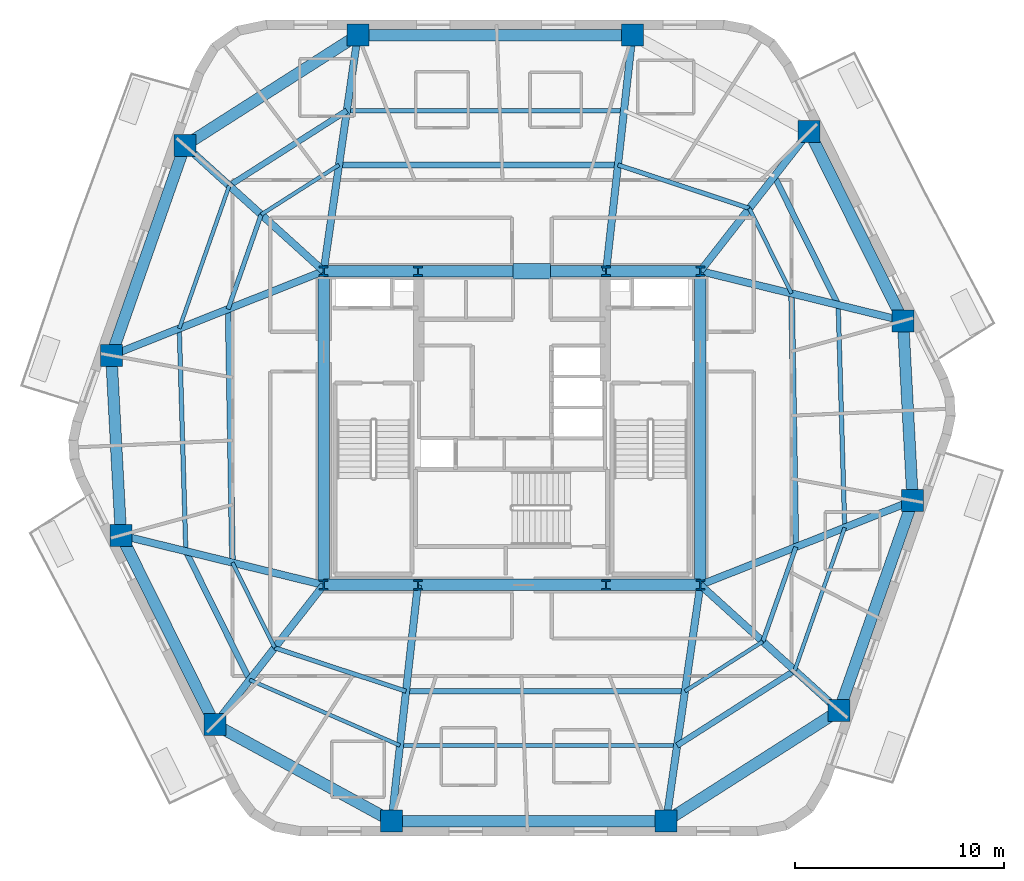
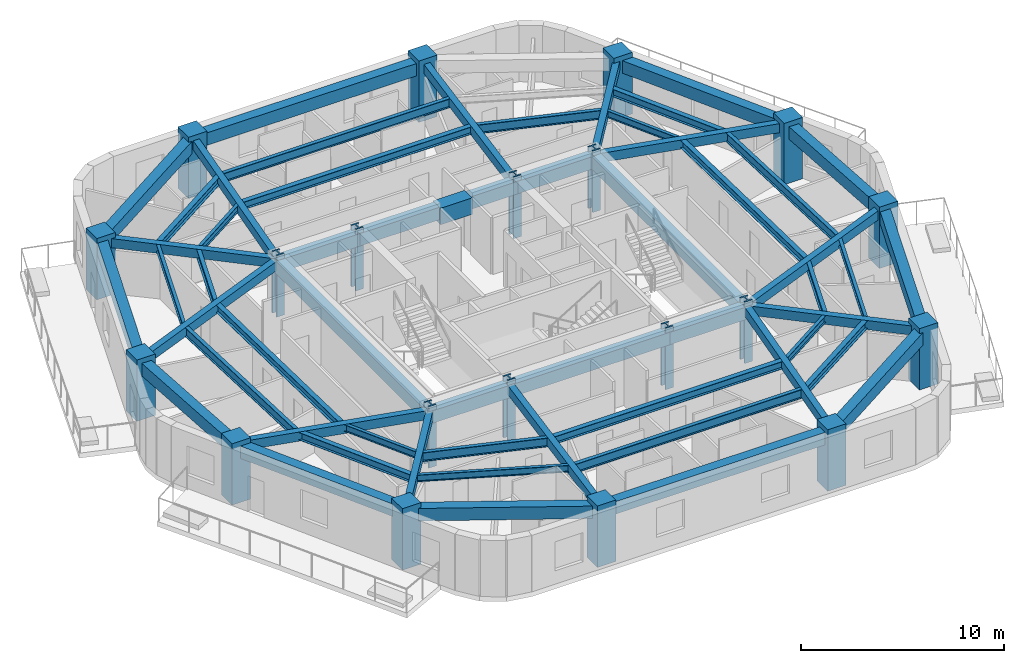
# One storey, part 1 of 10: 55 beams, 20 columns.
"""IFC4 building model written with IfcOpenShell, lengths in metres."""

from ifc_helpers import new_model, si_unit, direction, frame, origin, origin_2d, place, context, subcontext, project, spatial, rectangle, i_section, extrude, material, material_profile, profile_set, type_object, element, save


model = new_model("IFC4")

# Units and contexts
model_context = context("Model", 3, precision=1e-05, world=origin(), true_north=direction((0.0, 1.0)))
body_context = subcontext(model_context, "Body", "Model", "MODEL_VIEW")
ifc_project = project(units=[si_unit("LENGTHUNIT", "METRE"), si_unit("AREAUNIT", "SQUARE_METRE"), si_unit("VOLUMEUNIT", "CUBIC_METRE"), si_unit("PLANEANGLEUNIT", "RADIAN"), si_unit("MASSUNIT", "GRAM", prefix="KILO")], contexts=[model_context])

# Site, building, storey
site_placement = place(None, origin())
site = spatial("IfcSite", under=ifc_project, at=site_placement, CompositionType="ELEMENT")
building_placement = place(site_placement, origin())
building = spatial("IfcBuilding", under=site, at=building_placement, Name="Kilnhurst Terrace Hotel", CompositionType="ELEMENT")
storey_placement = place(building_placement, frame((0.0, 0.0, 175.60009765625)))
storey = spatial("IfcBuildingStorey", under=building, at=storey_placement, Name="L43", CompositionType="ELEMENT", Elevation=175.60009765625)

# Columns
ifc_material_1 = material(Name="Concrete C80/95", Category="concrete")
ifc_material_profile_1 = material_profile(ifc_material_1, rectangle(XDim=1.050048828125, YDim=1.050048828125, at=origin_2d()), Name="RC1050X1050")
ifc_profile_set_1 = profile_set([ifc_material_profile_1], Name="Concrete C80/95")
column_type_1 = type_object("IfcColumnType", Name="COL-RC-1050", PredefinedType="COLUMN", material=ifc_profile_set_1)
for number, where, z_axis, x_axis, name in (
    (1, (-5.7548828125, -18.780029296875, 0.0), (0.0, 0.0, 1.0), (1.0, 0.0, 0.0), "L43 Structural Column PC-F11"),
    (2, (7.368896484375, -18.780029296875, 0.0), (0.0, 0.0, 1.0), (1.0, 0.0, 0.0), "L43 Structural Column PC-F12"),
    (3, (15.633056640625, -13.5048828125, 0.0), (0.0, 0.0, 1.0), (1.0, 0.0, 0.0), "L43 Structural Column PC-F21"),
    (4, (19.14794921875, -3.467041015625, 0.0), (0.0, 0.0, 1.0), (1.0, 0.0, 0.0), "L43 Structural Column PC-F22"),
    (5, (18.68701171875, 5.1240234375, 0.0), (0.0, 0.0, 1.0), (1.0, 0.0, 0.0), "L43 Structural Column PC-F31"),
    (6, (14.2041015625, 14.166015625, 0.0), (0.0, 0.0, 1.0), (1.0, 0.0, 0.0), "L43 Structural Column PC-F32"),
    (7, (5.7548828125, 18.780029296875, 0.0), (0.0, 0.0, 1.0), (1.0, 0.0, 0.0), "L43 Structural Column PC-F41"),
    (8, (-7.368896484375, 18.780029296875, 0.0), (0.0, 0.0, 1.0), (1.0, 0.0, 0.0), "L43 Structural Column PC-F42"),
    (9, (-15.633056640625, 13.5048828125, 0.0), (0.0, 0.0, 1.0), (1.0, 0.0, 0.0), "L43 Structural Column PC-F51"),
    (10, (-19.14794921875, 3.467041015625, 0.0), (0.0, 0.0, 1.0), (1.0, 0.0, 0.0), "L43 Structural Column PC-F52"),
    (11, (-18.68701171875, -5.1240234375, 0.0), (0.0, 0.0, 1.0), (1.0, 0.0, 0.0), "L43 Structural Column PC-F61"),
    (12, (-14.2041015625, -14.166015625, 0.0), (0.0, 0.0, 1.0), (1.0, 0.0, 0.0), "L43 Structural Column PC-F62"),
):
    element("IfcColumn", number, at=place(storey_placement, frame(where, z_axis=z_axis, x_axis=x_axis)), inside=storey, type_object=column_type_1, Name=name, PredefinedType="COLUMN", context=body_context, shape_type="SweptSolid", body=[
        extrude(rectangle(XDim=1.050048828125, YDim=1.050048828125, at=origin_2d()), origin(), (0.0, 0.0, 1.0), 3.699951171875),
    ])
ifc_material_2 = material(Name="Steel ASTM A992 Grade 50", Category="steel")
ifc_material_profile_2 = material_profile(ifc_material_2, i_section(OverallWidth=0.43212890625, OverallDepth=0.497802734375, WebThickness=0.0556640625, FlangeThickness=0.0888671875, at=origin_2d()), Name="W14X500")
ifc_profile_set_2 = profile_set([ifc_material_profile_2], Name="Steel ASTM A992 Grade 50")
column_type_2 = type_object("IfcColumnType", Name="COL-STL-W14X500", PredefinedType="COLUMN", material=ifc_profile_set_2)
for number, where, z_axis, x_axis, name in (
    (13, (-9.0, -7.5, 0.0), (0.0, 0.0, 1.0), (1.0, 0.0, 0.0), "L43 Structural Column CC-SW"),
    (14, (-4.5, -7.5, 0.0), (0.0, 0.0, 1.0), (1.0, 0.0, 0.0), "L43 Structural Column CC-SC1"),
    (15, (4.5, -7.5, 0.0), (0.0, 0.0, 1.0), (1.0, 0.0, 0.0), "L43 Structural Column CC-SC2"),
    (16, (9.0, -7.5, 0.0), (0.0, 0.0, 1.0), (1.0, 0.0, 0.0), "L43 Structural Column CC-SE"),
    (17, (9.0, 7.5, 0.0), (0.0, 0.0, 1.0), (1.0, 0.0, 0.0), "L43 Structural Column CC-NE"),
    (18, (4.5, 7.5, 0.0), (0.0, 0.0, 1.0), (1.0, 0.0, 0.0), "L43 Structural Column CC-NC2"),
    (19, (-4.5, 7.5, 0.0), (0.0, 0.0, 1.0), (1.0, 0.0, 0.0), "L43 Structural Column CC-NC1"),
    (20, (-9.0, 7.5, 0.0), (0.0, 0.0, 1.0), (1.0, 0.0, 0.0), "L43 Structural Column CC-NW"),
):
    element("IfcColumn", number, at=place(storey_placement, frame(where, z_axis=z_axis, x_axis=x_axis)), inside=storey, type_object=column_type_2, Name=name, PredefinedType="COLUMN", context=body_context, shape_type="SweptSolid", body=[
        extrude(i_section(OverallWidth=0.43212890625, OverallDepth=0.497802734375, WebThickness=0.0556640625, FlangeThickness=0.0888671875, at=origin_2d()), origin(), (0.0, 0.0, 1.0), 3.699951171875),
    ])

# Beams
ifc_material_3 = material(Name="Concrete C50/60", Category="concrete")
ifc_material_profile_3 = material_profile(ifc_material_3, rectangle(XDim=0.35009765625, YDim=0.550048828125, at=origin_2d()), Name="RC350X550")
ifc_profile_set_3 = profile_set([ifc_material_profile_3], Name="Concrete C50/60")
beam_type_1 = type_object("IfcBeamType", Name="BM-RAD-350X550", PredefinedType="BEAM", material=ifc_profile_set_3)
beam_1_placement = place(storey_placement, frame((-4.5, -7.5, 3.125), z_axis=(-0.110566099441, -0.993868772854, 0.0), x_axis=(0.993868772854, -0.110566099441, 0.0)))
element("IfcBeam", 21, at=beam_1_placement, inside=storey, type_object=beam_type_1, Name="L43 Radial Floor Beam 1", PredefinedType="BEAM", context=body_context, shape_type="SweptSolid", body=[
    extrude(rectangle(XDim=0.35009765625, YDim=0.550048828125, at=origin_2d()), origin(), (0.0, 0.0, 1.0), 11.349609375),
])
beam_2_placement = place(storey_placement, frame((9.0, -7.5, 3.125), z_axis=(-0.143112538238, -0.989706421824, 0.0), x_axis=(0.989706421824, -0.143112538238, 0.0)))
element("IfcBeam", 22, at=beam_2_placement, inside=storey, type_object=beam_type_1, Name="L43 Radial Floor Beam 2", PredefinedType="BEAM", context=body_context, shape_type="SweptSolid", body=[
    extrude(rectangle(XDim=0.35009765625, YDim=0.550048828125, at=origin_2d()), origin(), (0.0, 0.0, 1.0), 11.3974609375),
])
beam_3_placement = place(storey_placement, frame((9.0, -7.5, 3.125), z_axis=(0.741338585645, -0.671131210296, 0.0), x_axis=(0.671131210296, 0.741338585645, 0.0)))
element("IfcBeam", 23, at=beam_3_placement, inside=storey, type_object=beam_type_1, Name="L43 Radial Floor Beam 3", PredefinedType="BEAM", context=body_context, shape_type="SweptSolid", body=[
    extrude(rectangle(XDim=0.35009765625, YDim=0.550048828125, at=origin_2d()), origin(), (0.0, 0.0, 1.0), 8.947509765625),
])
beam_4_placement = place(storey_placement, frame((9.0, -7.5, 3.125), z_axis=(0.929302373458, 0.369319778356, 0.0), x_axis=(-0.369319778356, 0.929302373458, 0.0)))
element("IfcBeam", 24, at=beam_4_placement, inside=storey, type_object=beam_type_1, Name="L43 Radial Floor Beam 4", PredefinedType="BEAM", context=body_context, shape_type="SweptSolid", body=[
    extrude(rectangle(XDim=0.35009765625, YDim=0.550048828125, at=origin_2d()), origin(), (0.0, 0.0, 1.0), 10.919921875),
])
beam_5_placement = place(storey_placement, frame((9.0, 7.5, 3.125), z_axis=(0.971212767405, -0.238213686486, 0.0), x_axis=(0.238213686486, 0.971212767405, 0.0)))
element("IfcBeam", 25, at=beam_5_placement, inside=storey, type_object=beam_type_1, Name="L43 Radial Floor Beam 5", PredefinedType="BEAM", context=body_context, shape_type="SweptSolid", body=[
    extrude(rectangle(XDim=0.35009765625, YDim=0.550048828125, at=origin_2d()), origin(), (0.0, 0.0, 1.0), 9.97412109375),
])
beam_6_placement = place(storey_placement, frame((9.0, 7.5, 3.125), z_axis=(0.615370616457, 0.78823791104, 0.0), x_axis=(-0.78823791104, 0.615370616457, 0.0)))
element("IfcBeam", 26, at=beam_6_placement, inside=storey, type_object=beam_type_1, Name="L43 Radial Floor Beam 6", PredefinedType="BEAM", context=body_context, shape_type="SweptSolid", body=[
    extrude(rectangle(XDim=0.35009765625, YDim=0.550048828125, at=origin_2d()), origin(), (0.0, 0.0, 1.0), 8.456787109375),
])
beam_7_placement = place(storey_placement, frame((4.5, 7.5, 3.125), z_axis=(0.110566099441, 0.993868772854, 0.0), x_axis=(-0.993868772854, 0.110566099441, 0.0)))
element("IfcBeam", 27, at=beam_7_placement, inside=storey, type_object=beam_type_1, Name="L43 Radial Floor Beam 7", PredefinedType="BEAM", context=body_context, shape_type="SweptSolid", body=[
    extrude(rectangle(XDim=0.35009765625, YDim=0.550048828125, at=origin_2d()), origin(), (0.0, 0.0, 1.0), 11.349609375),
])
beam_8_placement = place(storey_placement, frame((-9.0, 7.5, 3.125), z_axis=(0.143112538238, 0.989706421824, 0.0), x_axis=(-0.989706421824, 0.143112538238, 0.0)))
element("IfcBeam", 28, at=beam_8_placement, inside=storey, type_object=beam_type_1, Name="L43 Radial Floor Beam 8", PredefinedType="BEAM", context=body_context, shape_type="SweptSolid", body=[
    extrude(rectangle(XDim=0.35009765625, YDim=0.550048828125, at=origin_2d()), origin(), (0.0, 0.0, 1.0), 11.3974609375),
])
beam_9_placement = place(storey_placement, frame((-9.0, 7.5, 3.125), z_axis=(-0.741338585645, 0.671131210296, 0.0), x_axis=(-0.671131210296, -0.741338585645, 0.0)))
element("IfcBeam", 29, at=beam_9_placement, inside=storey, type_object=beam_type_1, Name="L43 Radial Floor Beam 9", PredefinedType="BEAM", context=body_context, shape_type="SweptSolid", body=[
    extrude(rectangle(XDim=0.35009765625, YDim=0.550048828125, at=origin_2d()), origin(), (0.0, 0.0, 1.0), 8.947509765625),
])
beam_10_placement = place(storey_placement, frame((-9.0, 7.5, 3.125), z_axis=(-0.929302373458, -0.369319778356, 0.0), x_axis=(0.369319778356, -0.929302373458, 0.0)))
element("IfcBeam", 30, at=beam_10_placement, inside=storey, type_object=beam_type_1, Name="L43 Radial Floor Beam 10", PredefinedType="BEAM", context=body_context, shape_type="SweptSolid", body=[
    extrude(rectangle(XDim=0.35009765625, YDim=0.550048828125, at=origin_2d()), origin(), (0.0, 0.0, 1.0), 10.919921875),
])
beam_11_placement = place(storey_placement, frame((-9.0, -7.5, 3.125), z_axis=(-0.971212767405, 0.238213686486, 0.0), x_axis=(-0.238213686486, -0.971212767405, 0.0)))
element("IfcBeam", 31, at=beam_11_placement, inside=storey, type_object=beam_type_1, Name="L43 Radial Floor Beam 11", PredefinedType="BEAM", context=body_context, shape_type="SweptSolid", body=[
    extrude(rectangle(XDim=0.35009765625, YDim=0.550048828125, at=origin_2d()), origin(), (0.0, 0.0, 1.0), 9.97412109375),
])
beam_12_placement = place(storey_placement, frame((-9.0, -7.5, 3.125), z_axis=(-0.615370616457, -0.78823791104, 0.0), x_axis=(0.78823791104, -0.615370616457, 0.0)))
element("IfcBeam", 32, at=beam_12_placement, inside=storey, type_object=beam_type_1, Name="L43 Radial Floor Beam 12", PredefinedType="BEAM", context=body_context, shape_type="SweptSolid", body=[
    extrude(rectangle(XDim=0.35009765625, YDim=0.550048828125, at=origin_2d()), origin(), (0.0, 0.0, 1.0), 8.456787109375),
])
ifc_material_profile_4 = material_profile(ifc_material_3, rectangle(XDim=0.550048828125, YDim=0.75, at=origin_2d()), Name="RC550X750")
ifc_profile_set_4 = profile_set([ifc_material_profile_4], Name="Concrete C50/60")
beam_type_2 = type_object("IfcBeamType", Name="BM-SPN-550X750", PredefinedType="SPANDREL", material=ifc_profile_set_4)
beam_13_placement = place(storey_placement, frame((-9.0, 7.5, 3.02490234375), z_axis=(1.0, 0.0, 0.0), x_axis=(0.0, 1.0, 0.0)))
element("IfcBeam", 33, at=beam_13_placement, inside=storey, type_object=beam_type_2, Name="L43 Core Tie Beam CC-NW to CC-NC1", PredefinedType="SPANDREL", context=body_context, shape_type="SweptSolid", body=[
    extrude(rectangle(XDim=0.550048828125, YDim=0.75, at=origin_2d()), origin(), (0.0, 0.0, 1.0), 4.5),
])
beam_14_placement = place(storey_placement, frame((-4.5, 7.5, 3.02490234375), z_axis=(1.0, 0.0, 0.0), x_axis=(0.0, 1.0, 0.0)))
element("IfcBeam", 34, at=beam_14_placement, inside=storey, type_object=beam_type_2, Name="L43 Core Tie Beam CC-NC1 to CC-NC2", PredefinedType="SPANDREL", context=body_context, shape_type="SweptSolid", body=[
    extrude(rectangle(XDim=0.550048828125, YDim=0.75, at=origin_2d()), origin(), (0.0, 0.0, 1.0), 9.0),
])
for number, where, z_axis, x_axis, name in (
    (35, (4.5, 7.5, 3.02490234375), (1.0, 0.0, 0.0), (0.0, 1.0, 0.0), "L43 Core Tie Beam CC-NC2 to CC-NE"),
    (36, (-9.0, -7.5, 3.02490234375), (1.0, 0.0, 0.0), (0.0, 1.0, 0.0), "L43 Core Tie Beam CC-SW to CC-SC1"),
):
    element("IfcBeam", number, at=place(storey_placement, frame(where, z_axis=z_axis, x_axis=x_axis)), inside=storey, type_object=beam_type_2, Name=name, PredefinedType="SPANDREL", context=body_context, shape_type="SweptSolid", body=[
        extrude(rectangle(XDim=0.550048828125, YDim=0.75, at=origin_2d()), origin(), (0.0, 0.0, 1.0), 4.5),
    ])
beam_15_placement = place(storey_placement, frame((-4.5, -7.5, 3.02490234375), z_axis=(1.0, 0.0, 0.0), x_axis=(0.0, 1.0, 0.0)))
element("IfcBeam", 37, at=beam_15_placement, inside=storey, type_object=beam_type_2, Name="L43 Core Tie Beam CC-SC1 to CC-SC2", PredefinedType="SPANDREL", context=body_context, shape_type="SweptSolid", body=[
    extrude(rectangle(XDim=0.550048828125, YDim=0.75, at=origin_2d()), origin(), (0.0, 0.0, 1.0), 9.0),
])
beam_16_placement = place(storey_placement, frame((4.5, -7.5, 3.02490234375), z_axis=(1.0, 0.0, 0.0), x_axis=(0.0, 1.0, 0.0)))
element("IfcBeam", 38, at=beam_16_placement, inside=storey, type_object=beam_type_2, Name="L43 Core Tie Beam CC-SC2 to CC-SE", PredefinedType="SPANDREL", context=body_context, shape_type="SweptSolid", body=[
    extrude(rectangle(XDim=0.550048828125, YDim=0.75, at=origin_2d()), origin(), (0.0, 0.0, 1.0), 4.5),
])
for number, where, z_axis, x_axis, name in (
    (39, (-9.0, -7.5, 3.02490234375), (0.0, 1.0, 0.0), (-1.0, 0.0, 0.0), "L43 Core Tie Beam CC-SW to CC-NW"),
    (40, (9.0, -7.5, 3.02490234375), (0.0, 1.0, 0.0), (-1.0, 0.0, 0.0), "L43 Core Tie Beam CC-SE to CC-NE"),
):
    element("IfcBeam", number, at=place(storey_placement, frame(where, z_axis=z_axis, x_axis=x_axis)), inside=storey, type_object=beam_type_2, Name=name, PredefinedType="SPANDREL", context=body_context, shape_type="SweptSolid", body=[
        extrude(rectangle(XDim=0.550048828125, YDim=0.75, at=origin_2d()), origin(), (0.0, 0.0, 1.0), 15.0),
    ])
beam_17_placement = place(storey_placement, frame((-5.7548828125, -18.780029296875, 3.02490234375), z_axis=(1.0, 0.0, 0.0), x_axis=(0.0, 1.0, 0.0)))
element("IfcBeam", 41, at=beam_17_placement, inside=storey, type_object=beam_type_2, Name="L43 Perimeter Spandrel Beam 1", PredefinedType="SPANDREL", context=body_context, shape_type="SweptSolid", body=[
    extrude(rectangle(XDim=0.550048828125, YDim=0.75, at=origin_2d()), origin(), (0.0, 0.0, 1.0), 13.123779296875),
])
beam_18_placement = place(storey_placement, frame((7.368896484375, -18.780029296875, 3.02490234375), z_axis=(0.842915241256, 0.538046369803, 0.0), x_axis=(-0.538046369803, 0.842915241256, 0.0)))
element("IfcBeam", 42, at=beam_18_placement, inside=storey, type_object=beam_type_2, Name="L43 Perimeter Spandrel Beam 2", PredefinedType="SPANDREL", context=body_context, shape_type="SweptSolid", body=[
    extrude(rectangle(XDim=0.550048828125, YDim=0.75, at=origin_2d()), origin(), (0.0, 0.0, 1.0), 9.80419921875),
])
beam_19_placement = place(storey_placement, frame((15.633056640625, -13.5048828125, 3.02490234375), z_axis=(0.330488460168, 0.943810032632, 0.0), x_axis=(-0.943810032632, 0.330488460168, 0.0)))
element("IfcBeam", 43, at=beam_19_placement, inside=storey, type_object=beam_type_2, Name="L43 Perimeter Spandrel Beam 3", PredefinedType="SPANDREL", context=body_context, shape_type="SweptSolid", body=[
    extrude(rectangle(XDim=0.550048828125, YDim=0.75, at=origin_2d()), origin(), (0.0, 0.0, 1.0), 10.635498046875),
])
beam_20_placement = place(storey_placement, frame((19.14794921875, -3.467041015625, 3.02490234375), z_axis=(-0.053576072051, 0.998563770875, 0.0), x_axis=(-0.998563770875, -0.053576072051, 0.0)))
element("IfcBeam", 44, at=beam_20_placement, inside=storey, type_object=beam_type_2, Name="L43 Perimeter Spandrel Beam 4", PredefinedType="SPANDREL", context=body_context, shape_type="SweptSolid", body=[
    extrude(rectangle(XDim=0.550048828125, YDim=0.75, at=origin_2d()), origin(), (0.0, 0.0, 1.0), 8.603515625),
])
beam_21_placement = place(storey_placement, frame((18.68701171875, 5.1240234375, 3.02490234375), z_axis=(-0.444192032261, 0.895931603682, 0.0), x_axis=(-0.895931603682, -0.444192032261, 0.0)))
element("IfcBeam", 45, at=beam_21_placement, inside=storey, type_object=beam_type_2, Name="L43 Perimeter Spandrel Beam 5", PredefinedType="SPANDREL", context=body_context, shape_type="SweptSolid", body=[
    extrude(rectangle(XDim=0.550048828125, YDim=0.75, at=origin_2d()), origin(), (0.0, 0.0, 1.0), 10.09228515625),
])
beam_22_placement = place(storey_placement, frame((5.7548828125, 18.780029296875, 3.02490234375), z_axis=(-1.0, 0.0, 0.0), x_axis=(0.0, -1.0, 0.0)))
element("IfcBeam", 46, at=beam_22_placement, inside=storey, type_object=beam_type_2, Name="L43 Perimeter Spandrel Beam 7", PredefinedType="SPANDREL", context=body_context, shape_type="SweptSolid", body=[
    extrude(rectangle(XDim=0.550048828125, YDim=0.75, at=origin_2d()), origin(), (0.0, 0.0, 1.0), 13.123779296875),
])
beam_23_placement = place(storey_placement, frame((-7.368896484375, 18.780029296875, 3.02490234375), z_axis=(-0.842915241256, -0.538046369803, 0.0), x_axis=(0.538046369803, -0.842915241256, 0.0)))
element("IfcBeam", 47, at=beam_23_placement, inside=storey, type_object=beam_type_2, Name="L43 Perimeter Spandrel Beam 8", PredefinedType="SPANDREL", context=body_context, shape_type="SweptSolid", body=[
    extrude(rectangle(XDim=0.550048828125, YDim=0.75, at=origin_2d()), origin(), (0.0, 0.0, 1.0), 9.80419921875),
])
beam_24_placement = place(storey_placement, frame((-15.633056640625, 13.5048828125, 3.02490234375), z_axis=(-0.330488460168, -0.943810032632, 0.0), x_axis=(0.943810032632, -0.330488460168, 0.0)))
element("IfcBeam", 48, at=beam_24_placement, inside=storey, type_object=beam_type_2, Name="L43 Perimeter Spandrel Beam 9", PredefinedType="SPANDREL", context=body_context, shape_type="SweptSolid", body=[
    extrude(rectangle(XDim=0.550048828125, YDim=0.75, at=origin_2d()), origin(), (0.0, 0.0, 1.0), 10.635498046875),
])
beam_25_placement = place(storey_placement, frame((-19.14794921875, 3.467041015625, 3.02490234375), z_axis=(0.053576072051, -0.998563770875, 0.0), x_axis=(0.998563770875, 0.053576072051, 0.0)))
element("IfcBeam", 49, at=beam_25_placement, inside=storey, type_object=beam_type_2, Name="L43 Perimeter Spandrel Beam 10", PredefinedType="SPANDREL", context=body_context, shape_type="SweptSolid", body=[
    extrude(rectangle(XDim=0.550048828125, YDim=0.75, at=origin_2d()), origin(), (0.0, 0.0, 1.0), 8.603515625),
])
beam_26_placement = place(storey_placement, frame((-18.68701171875, -5.1240234375, 3.02490234375), z_axis=(0.444192032261, -0.895931603682, 0.0), x_axis=(0.895931603682, 0.444192032261, 0.0)))
element("IfcBeam", 50, at=beam_26_placement, inside=storey, type_object=beam_type_2, Name="L43 Perimeter Spandrel Beam 11", PredefinedType="SPANDREL", context=body_context, shape_type="SweptSolid", body=[
    extrude(rectangle(XDim=0.550048828125, YDim=0.75, at=origin_2d()), origin(), (0.0, 0.0, 1.0), 10.09228515625),
])
beam_27_placement = place(storey_placement, frame((-14.2041015625, -14.166015625, 3.02490234375), z_axis=(0.87766189723, -0.479280287672, 0.0), x_axis=(0.479280287672, 0.87766189723, 0.0)))
element("IfcBeam", 51, at=beam_27_placement, inside=storey, type_object=beam_type_2, Name="L43 Perimeter Spandrel Beam 12", PredefinedType="SPANDREL", context=body_context, shape_type="SweptSolid", body=[
    extrude(rectangle(XDim=0.550048828125, YDim=0.75, at=origin_2d()), origin(), (0.0, 0.0, 1.0), 9.626953125),
])
ifc_material_profile_5 = material_profile(ifc_material_2, i_section(OverallWidth=0.180908203125, OverallDepth=0.417236328125, WebThickness=0.010986328125, FlangeThickness=0.018310546875, at=origin_2d()), Name="W16X57")
ifc_profile_set_5 = profile_set([ifc_material_profile_5], Name="Steel ASTM A992 Grade 50")
beam_type_3 = type_object("IfcBeamType", Name="JST-STL-W16X57", PredefinedType="JOIST", material=ifc_profile_set_5)
for number, where, z_axis, x_axis, name in (
    (52, (13.510498046875, -11.58349609375, 3.19091796875), (0.330481239411, 0.943812561051, 0.0), (-0.943812561051, 0.330481239411, 0.0), "L43 Secondary Floor Steel Joist OUT.3"),
    (53, (-13.510498046875, 11.58349609375, 3.19091796875), (-0.330481239411, -0.943812561051, 0.0), (0.943812561051, -0.330481239411, 0.0), "L43 Secondary Floor Steel Joist OUT.9"),
):
    element("IfcBeam", number, at=place(storey_placement, frame(where, z_axis=z_axis, x_axis=x_axis)), inside=storey, type_object=beam_type_3, Name=name, PredefinedType="JOIST", context=body_context, shape_type="SweptSolid", body=[
        extrude(i_section(OverallWidth=0.180908203125, OverallDepth=0.417236328125, WebThickness=0.010986328125, FlangeThickness=0.018310546875, at=origin_2d()), origin(), (0.0, 0.0, 1.0), 7.232177734375),
    ])
beam_28_placement = place(storey_placement, frame((-12.538818359375, -12.032958984375, 3.19091796875), z_axis=(0.916443679054, -0.400163695407, 0.0), x_axis=(0.400163695407, 0.916443679054, 0.0)))
element("IfcBeam", 54, at=beam_28_placement, inside=storey, type_object=beam_type_3, Name="L43 Secondary Floor Steel Joist OUT.12", PredefinedType="JOIST", context=body_context, shape_type="SweptSolid", body=[
    extrude(i_section(OverallWidth=0.180908203125, OverallDepth=0.417236328125, WebThickness=0.010986328125, FlangeThickness=0.018310546875, at=origin_2d()), origin(), (0.0, 0.0, 1.0), 7.84033203125),
])
beam_29_placement = place(storey_placement, frame((8.26611328125, -12.575927734375, 3.19091796875), z_axis=(0.842910995806, 0.53805302076, 0.0), x_axis=(-0.53805302076, 0.842910995806, 0.0)))
element("IfcBeam", 55, at=beam_29_placement, inside=storey, type_object=beam_type_3, Name="L43 Secondary Floor Steel Joist IN.2", PredefinedType="JOIST", context=body_context, shape_type="SweptSolid", body=[
    extrude(i_section(OverallWidth=0.180908203125, OverallDepth=0.417236328125, WebThickness=0.010986328125, FlangeThickness=0.018310546875, at=origin_2d()), origin(), (0.0, 0.0, 1.0), 4.411865234375),
])
beam_30_placement = place(storey_placement, frame((13.359130859375, 6.430908203125, 3.19091796875), z_axis=(-0.444200626094, 0.895927342912, 0.0), x_axis=(-0.895927342912, -0.444200626094, 0.0)))
element("IfcBeam", 56, at=beam_30_placement, inside=storey, type_object=beam_type_3, Name="L43 Secondary Floor Steel Joist IN.5", PredefinedType="JOIST", context=body_context, shape_type="SweptSolid", body=[
    extrude(i_section(OverallWidth=0.180908203125, OverallDepth=0.417236328125, WebThickness=0.010986328125, FlangeThickness=0.018310546875, at=origin_2d()), origin(), (0.0, 0.0, 1.0), 4.54150390625),
])
beam_31_placement = place(storey_placement, frame((-8.26611328125, 12.575927734375, 3.19091796875), z_axis=(-0.842910995806, -0.53805302076, 0.0), x_axis=(0.53805302076, -0.842910995806, 0.0)))
element("IfcBeam", 57, at=beam_31_placement, inside=storey, type_object=beam_type_3, Name="L43 Secondary Floor Steel Joist IN.8", PredefinedType="JOIST", context=body_context, shape_type="SweptSolid", body=[
    extrude(i_section(OverallWidth=0.180908203125, OverallDepth=0.417236328125, WebThickness=0.010986328125, FlangeThickness=0.018310546875, at=origin_2d()), origin(), (0.0, 0.0, 1.0), 4.411865234375),
])
beam_32_placement = place(storey_placement, frame((-13.359130859375, -6.430908203125, 3.19091796875), z_axis=(0.444200626094, -0.895927342912, 0.0), x_axis=(0.895927342912, 0.444200626094, 0.0)))
element("IfcBeam", 58, at=beam_32_placement, inside=storey, type_object=beam_type_3, Name="L43 Secondary Floor Steel Joist IN.11", PredefinedType="JOIST", context=body_context, shape_type="SweptSolid", body=[
    extrude(i_section(OverallWidth=0.180908203125, OverallDepth=0.417236328125, WebThickness=0.010986328125, FlangeThickness=0.018310546875, at=origin_2d()), origin(), (0.0, 0.0, 1.0), 4.54150390625),
])
ifc_material_profile_6 = material_profile(ifc_material_2, i_section(OverallWidth=0.279296875, OverallDepth=0.462890625, WebThickness=0.0107421875, FlangeThickness=0.017333984375, at=origin_2d()), Name="W18X76")
ifc_profile_set_6 = profile_set([ifc_material_profile_6], Name="Steel ASTM A992 Grade 50")
beam_type_4 = type_object("IfcBeamType", Name="JST-STL-W18X76", PredefinedType="JOIST", material=ifc_profile_set_6)
beam_33_placement = place(storey_placement, frame((7.890869140625, -15.17041015625, 3.16796875), z_axis=(0.842927863369, 0.538026595213, 0.0), x_axis=(-0.538026595213, 0.842927863369, 0.0)))
element("IfcBeam", 59, at=beam_33_placement, inside=storey, type_object=beam_type_4, Name="L43 Secondary Floor Steel Joist OUT.2", PredefinedType="JOIST", context=body_context, shape_type="SweptSolid", body=[
    extrude(i_section(OverallWidth=0.279296875, OverallDepth=0.462890625, WebThickness=0.0107421875, FlangeThickness=0.017333984375, at=origin_2d()), origin(), (0.0, 0.0, 1.0), 6.666748046875),
])
beam_34_placement = place(storey_placement, frame((15.587158203125, 5.88427734375, 3.16796875), z_axis=(-0.444180101574, 0.895937518673, 0.0), x_axis=(-0.895937518673, -0.444180101574, 0.0)))
element("IfcBeam", 60, at=beam_34_placement, inside=storey, type_object=beam_type_4, Name="L43 Secondary Floor Steel Joist OUT.5", PredefinedType="JOIST", context=body_context, shape_type="SweptSolid", body=[
    extrude(i_section(OverallWidth=0.279296875, OverallDepth=0.462890625, WebThickness=0.0107421875, FlangeThickness=0.017333984375, at=origin_2d()), origin(), (0.0, 0.0, 1.0), 6.86279296875),
])
beam_35_placement = place(storey_placement, frame((-7.890869140625, 15.17041015625, 3.16796875), z_axis=(-0.842927863369, -0.538026595213, 0.0), x_axis=(0.538026595213, -0.842927863369, 0.0)))
element("IfcBeam", 61, at=beam_35_placement, inside=storey, type_object=beam_type_4, Name="L43 Secondary Floor Steel Joist OUT.8", PredefinedType="JOIST", context=body_context, shape_type="SweptSolid", body=[
    extrude(i_section(OverallWidth=0.279296875, OverallDepth=0.462890625, WebThickness=0.0107421875, FlangeThickness=0.017333984375, at=origin_2d()), origin(), (0.0, 0.0, 1.0), 6.666748046875),
])
beam_36_placement = place(storey_placement, frame((-15.587158203125, -5.88427734375, 3.16796875), z_axis=(0.444180101574, -0.895937518673, 0.0), x_axis=(0.895937518673, 0.444180101574, 0.0)))
element("IfcBeam", 62, at=beam_36_placement, inside=storey, type_object=beam_type_4, Name="L43 Secondary Floor Steel Joist OUT.11", PredefinedType="JOIST", context=body_context, shape_type="SweptSolid", body=[
    extrude(i_section(OverallWidth=0.279296875, OverallDepth=0.462890625, WebThickness=0.0107421875, FlangeThickness=0.017333984375, at=origin_2d()), origin(), (0.0, 0.0, 1.0), 6.86279296875),
])
beam_37_placement = place(storey_placement, frame((-5.064697265625, -12.575927734375, 3.16796875), z_axis=(1.0, 0.0, 0.0), x_axis=(0.0, 1.0, 0.0)))
element("IfcBeam", 63, at=beam_37_placement, inside=storey, type_object=beam_type_4, Name="L43 Secondary Floor Steel Joist IN.1", PredefinedType="JOIST", context=body_context, shape_type="SweptSolid", body=[
    extrude(i_section(OverallWidth=0.279296875, OverallDepth=0.462890625, WebThickness=0.0107421875, FlangeThickness=0.017333984375, at=origin_2d()), origin(), (0.0, 0.0, 1.0), 13.330810546875),
])
beam_38_placement = place(storey_placement, frame((13.566650390625, -5.685302734375, 3.16796875), z_axis=(-0.017124916462, 0.999853357866, 0.0), x_axis=(-0.999853357866, -0.017124916462, 0.0)))
element("IfcBeam", 64, at=beam_38_placement, inside=storey, type_object=beam_type_4, Name="L43 Secondary Floor Steel Joist IN.4", PredefinedType="JOIST", context=body_context, shape_type="SweptSolid", body=[
    extrude(i_section(OverallWidth=0.279296875, OverallDepth=0.462890625, WebThickness=0.0107421875, FlangeThickness=0.017333984375, at=origin_2d()), origin(), (0.0, 0.0, 1.0), 12.117919921875),
])
beam_39_placement = place(storey_placement, frame((5.064697265625, 12.575927734375, 3.16796875), z_axis=(-1.0, 0.0, 0.0), x_axis=(0.0, -1.0, 0.0)))
element("IfcBeam", 65, at=beam_39_placement, inside=storey, type_object=beam_type_4, Name="L43 Secondary Floor Steel Joist IN.7", PredefinedType="JOIST", context=body_context, shape_type="SweptSolid", body=[
    extrude(i_section(OverallWidth=0.279296875, OverallDepth=0.462890625, WebThickness=0.0107421875, FlangeThickness=0.017333984375, at=origin_2d()), origin(), (0.0, 0.0, 1.0), 13.330810546875),
])
beam_40_placement = place(storey_placement, frame((-13.566650390625, 5.685302734375, 3.16796875), z_axis=(0.017124916462, -0.999853357866, 0.0), x_axis=(0.999853357866, 0.017124916462, 0.0)))
element("IfcBeam", 66, at=beam_40_placement, inside=storey, type_object=beam_type_4, Name="L43 Secondary Floor Steel Joist IN.10", PredefinedType="JOIST", context=body_context, shape_type="SweptSolid", body=[
    extrude(i_section(OverallWidth=0.279296875, OverallDepth=0.462890625, WebThickness=0.0107421875, FlangeThickness=0.017333984375, at=origin_2d()), origin(), (0.0, 0.0, 1.0), 12.117919921875),
])
ifc_material_profile_7 = material_profile(ifc_material_2, i_section(OverallWidth=0.2138671875, OverallDepth=0.549072265625, WebThickness=0.0146484375, FlangeThickness=0.023681640625, at=origin_2d()), Name="W21X93")
ifc_profile_set_7 = profile_set([ifc_material_profile_7], Name="Steel ASTM A992 Grade 50")
beam_type_5 = type_object("IfcBeamType", Name="JST-STL-W21X93", PredefinedType="JOIST", material=ifc_profile_set_7)
beam_41_placement = place(storey_placement, frame((-5.353515625, -15.17041015625, 3.125), z_axis=(1.0, 0.0, 0.0), x_axis=(0.0, 1.0, 0.0)))
element("IfcBeam", 67, at=beam_41_placement, inside=storey, type_object=beam_type_5, Name="L43 Secondary Floor Steel Joist OUT.1", PredefinedType="JOIST", context=body_context, shape_type="SweptSolid", body=[
    extrude(i_section(OverallWidth=0.2138671875, OverallDepth=0.549072265625, WebThickness=0.0146484375, FlangeThickness=0.023681640625, at=origin_2d()), origin(), (0.0, 0.0, 1.0), 13.244384765625),
])
beam_42_placement = place(storey_placement, frame((15.900634765625, -4.757568359375, 3.125), z_axis=(-0.029444201298, 0.999566425512, 0.0), x_axis=(-0.999566425512, -0.029444201298, 0.0)))
element("IfcBeam", 68, at=beam_42_placement, inside=storey, type_object=beam_type_5, Name="L43 Secondary Floor Steel Joist OUT.4", PredefinedType="JOIST", context=body_context, shape_type="SweptSolid", body=[
    extrude(i_section(OverallWidth=0.2138671875, OverallDepth=0.549072265625, WebThickness=0.0146484375, FlangeThickness=0.023681640625, at=origin_2d()), origin(), (0.0, 0.0, 1.0), 10.646484375),
])
beam_43_placement = place(storey_placement, frame((5.353515625, 15.17041015625, 3.125), z_axis=(-1.0, 0.0, 0.0), x_axis=(0.0, -1.0, 0.0)))
element("IfcBeam", 69, at=beam_43_placement, inside=storey, type_object=beam_type_5, Name="L43 Secondary Floor Steel Joist OUT.7", PredefinedType="JOIST", context=body_context, shape_type="SweptSolid", body=[
    extrude(i_section(OverallWidth=0.2138671875, OverallDepth=0.549072265625, WebThickness=0.0146484375, FlangeThickness=0.023681640625, at=origin_2d()), origin(), (0.0, 0.0, 1.0), 13.244384765625),
])
beam_44_placement = place(storey_placement, frame((-15.900634765625, 4.757568359375, 3.125), z_axis=(0.029444201298, -0.999566425512, 0.0), x_axis=(0.999566425512, 0.029444201298, 0.0)))
element("IfcBeam", 70, at=beam_44_placement, inside=storey, type_object=beam_type_5, Name="L43 Secondary Floor Steel Joist OUT.10", PredefinedType="JOIST", context=body_context, shape_type="SweptSolid", body=[
    extrude(i_section(OverallWidth=0.2138671875, OverallDepth=0.549072265625, WebThickness=0.0146484375, FlangeThickness=0.023681640625, at=origin_2d()), origin(), (0.0, 0.0, 1.0), 10.646484375),
])
beam_45_placement = place(storey_placement, frame((11.98486328125, -10.2021484375, 3.125), z_axis=(0.330516298629, 0.943800284139, 0.0), x_axis=(-0.943800284139, 0.330516298629, 0.0)))
element("IfcBeam", 71, at=beam_45_placement, inside=storey, type_object=beam_type_5, Name="L43 Secondary Floor Steel Joist IN.3", PredefinedType="JOIST", context=body_context, shape_type="SweptSolid", body=[
    extrude(i_section(OverallWidth=0.2138671875, OverallDepth=0.549072265625, WebThickness=0.0146484375, FlangeThickness=0.023681640625, at=origin_2d()), origin(), (0.0, 0.0, 1.0), 4.785888671875),
])
beam_46_placement = place(storey_placement, frame((11.341796875, 10.499755859375, 3.125), z_axis=(-0.949415572736, 0.314022404051, 0.0), x_axis=(-0.314022404051, -0.949415572736, 0.0)))
element("IfcBeam", 72, at=beam_46_placement, inside=storey, type_object=beam_type_5, Name="L43 Secondary Floor Steel Joist IN.6", PredefinedType="JOIST", context=body_context, shape_type="SweptSolid", body=[
    extrude(i_section(OverallWidth=0.2138671875, OverallDepth=0.549072265625, WebThickness=0.0146484375, FlangeThickness=0.023681640625, at=origin_2d()), origin(), (0.0, 0.0, 1.0), 6.611572265625),
])
beam_47_placement = place(storey_placement, frame((-11.98486328125, 10.2021484375, 3.125), z_axis=(-0.330516298629, -0.943800284139, 0.0), x_axis=(0.943800284139, -0.330516298629, 0.0)))
element("IfcBeam", 73, at=beam_47_placement, inside=storey, type_object=beam_type_5, Name="L43 Secondary Floor Steel Joist IN.9", PredefinedType="JOIST", context=body_context, shape_type="SweptSolid", body=[
    extrude(i_section(OverallWidth=0.2138671875, OverallDepth=0.549072265625, WebThickness=0.0146484375, FlangeThickness=0.023681640625, at=origin_2d()), origin(), (0.0, 0.0, 1.0), 4.785888671875),
])
beam_48_placement = place(storey_placement, frame((-11.341796875, -10.499755859375, 3.125), z_axis=(0.949415572736, -0.314022404051, 0.0), x_axis=(0.314022404051, 0.949415572736, 0.0)))
element("IfcBeam", 74, at=beam_48_placement, inside=storey, type_object=beam_type_5, Name="L43 Secondary Floor Steel Joist IN.12", PredefinedType="JOIST", context=body_context, shape_type="SweptSolid", body=[
    extrude(i_section(OverallWidth=0.2138671875, OverallDepth=0.549072265625, WebThickness=0.0146484375, FlangeThickness=0.023681640625, at=origin_2d()), origin(), (0.0, 0.0, 1.0), 6.611572265625),
])
ifc_material_4 = material(Name="Concrete C60/75", Category="concrete")
ifc_material_profile_8 = material_profile(ifc_material_4, rectangle(XDim=0.75, YDim=1.0, at=origin_2d()), Name="RC750X1000")
ifc_profile_set_8 = profile_set([ifc_material_profile_8], Name="Concrete C60/75")
beam_type_6 = type_object("IfcBeamType", Name="LNT-CB-750X1000", PredefinedType="LINTEL", material=ifc_profile_set_8)
beam_49_placement = place(storey_placement, frame((0.050048828125, 7.5, 2.89990234375), z_axis=(1.0, 0.0, 0.0), x_axis=(0.0, 1.0, 0.0)))
element("IfcBeam", 75, at=beam_49_placement, inside=storey, type_object=beam_type_6, Name="L43 North Core Coupling Link Beam", PredefinedType="LINTEL", context=body_context, shape_type="SweptSolid", body=[
    extrude(rectangle(XDim=0.75, YDim=1.0, at=origin_2d()), origin(), (0.0, 0.0, 1.0), 1.800048828125),
])

save(model, "model.ifc")
